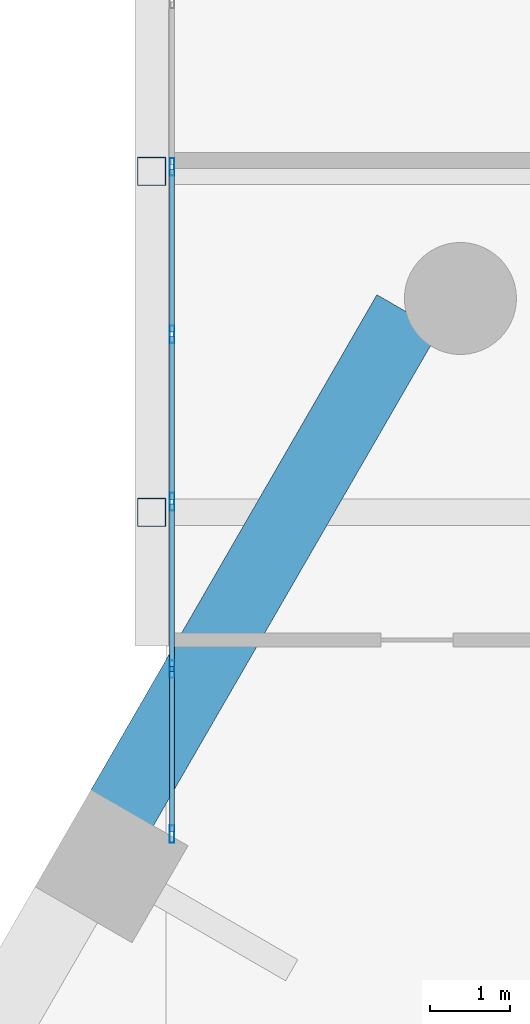
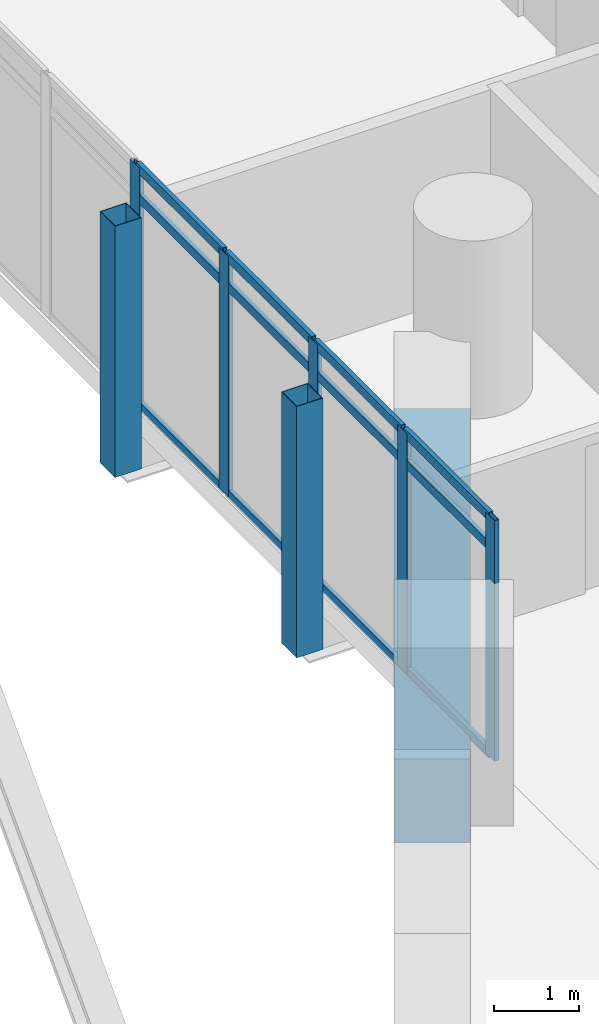
# One storey, part 16 of 38: 19 members, 1 beam, 1 element without a shape of its own.
"""IFC4 building model written with IfcOpenShell, lengths in metres."""

from ifc_helpers import new_model, si_unit, direction, frame, origin, origin_2d, place, context, subcontext, project, spatial, rectangle, hollow_rectangle, extrude, material, material_profile, profile_set, type_object, element, aggregate, save


model = new_model("IFC4")

# Units and contexts
model_context = context("Model", 3, precision=1e-05, world=origin(), true_north=direction((0.0, 1.0)))
body_context = subcontext(model_context, "Body", "Model", "MODEL_VIEW")
ifc_project = project(units=[si_unit("LENGTHUNIT", "METRE"), si_unit("AREAUNIT", "SQUARE_METRE"), si_unit("VOLUMEUNIT", "CUBIC_METRE"), si_unit("PLANEANGLEUNIT", "RADIAN"), si_unit("MASSUNIT", "GRAM", prefix="KILO")], contexts=[model_context])

# Site, building, storey
site_placement = place(None, origin())
site = spatial("IfcSite", under=ifc_project, at=site_placement, CompositionType="ELEMENT")
building_placement = place(site_placement, origin())
building = spatial("IfcBuilding", under=site, at=building_placement, Name="Ostrander Bayou Hotel Tower", CompositionType="ELEMENT")
storey_placement = place(building_placement, frame((0.0, 0.0, 65.5)))
storey = spatial("IfcBuildingStorey", under=building, at=storey_placement, Name="L16", CompositionType="ELEMENT", Elevation=65.5)

# Curtain wall, members
ifc_material_1 = material(Name="Aluminium and clear glass", Category="aluminium")
curtain_wall_type = type_object("IfcCurtainWallType", Name="CW-BAR glazed wall", PredefinedType="NOTDEFINED", material=ifc_material_1)
curtain_wall_placement = place(storey_placement, origin())
curtain_wall = element("IfcCurtainWall", 1, at=curtain_wall_placement, inside=storey, type_object=curtain_wall_type, Name="CW-BAR L16:SB1N:E", PredefinedType="NOTDEFINED")
ifc_material_2 = material(Name="Aluminium", Category="aluminium")
ifc_material_profile_1 = material_profile(ifc_material_2, hollow_rectangle(XDim=0.06005859375, YDim=0.219970703125, WallThickness=0.00390625, at=origin_2d()))
ifc_profile_set_1 = profile_set([ifc_material_profile_1], Name="Aluminium")
member_type_1 = type_object("IfcMemberType", Name="CW-BR mullion 60 x 220 mm", PredefinedType="MULLION", material=ifc_profile_set_1)
member_1_placement = place(storey_placement, frame((-14.712158203125, 14.1767578125, 0.0), z_axis=(0.0, 0.0, 1.0), x_axis=(-1.0, 0.0, 0.0)))
member_1 = element("IfcMember", 2, at=member_1_placement, type_object=member_type_1, Name="CW-BAR mullion 1", PredefinedType="MULLION", context=body_context, shape_type="SweptSolid", body=[
    extrude(hollow_rectangle(XDim=0.06005859375, YDim=0.219970703125, WallThickness=0.00390625, at=origin_2d()), origin(), (0.0, 0.0, 1.0), 3.449951171875),
])
member_2_placement = place(storey_placement, frame((-14.712158203125, 16.2392578125, 0.0), z_axis=(0.0, 0.0, 1.0), x_axis=(-1.0, 0.0, 0.0)))
member_2 = element("IfcMember", 3, at=member_2_placement, type_object=member_type_1, Name="CW-BAR mullion 2", PredefinedType="MULLION", context=body_context, shape_type="SweptSolid", body=[
    extrude(hollow_rectangle(XDim=0.06005859375, YDim=0.219970703125, WallThickness=0.00390625, at=origin_2d()), origin(), (0.0, 0.0, 1.0), 3.449951171875),
])
member_3_placement = place(storey_placement, frame((-14.712158203125, 18.33154296875, 0.0), z_axis=(0.0, 0.0, 1.0), x_axis=(-1.0, 0.0, 0.0)))
member_3 = element("IfcMember", 4, at=member_3_placement, type_object=member_type_1, Name="CW-BAR mullion 3", PredefinedType="MULLION", context=body_context, shape_type="SweptSolid", body=[
    extrude(hollow_rectangle(XDim=0.06005859375, YDim=0.219970703125, WallThickness=0.00390625, at=origin_2d()), origin(), (0.0, 0.0, 1.0), 3.449951171875),
])
member_4_placement = place(storey_placement, frame((-14.712158203125, 20.424072265625, 0.0), z_axis=(0.0, 0.0, 1.0), x_axis=(-1.0, 0.0, 0.0)))
member_4 = element("IfcMember", 5, at=member_4_placement, type_object=member_type_1, Name="CW-BAR mullion 4", PredefinedType="MULLION", context=body_context, shape_type="SweptSolid", body=[
    extrude(hollow_rectangle(XDim=0.06005859375, YDim=0.219970703125, WallThickness=0.00390625, at=origin_2d()), origin(), (0.0, 0.0, 1.0), 3.449951171875),
])
member_5_placement = place(storey_placement, frame((-14.712158203125, 22.5166015625, 0.0), z_axis=(0.0, 0.0, 1.0), x_axis=(-1.0, 0.0, 0.0)))
member_5 = element("IfcMember", 6, at=member_5_placement, type_object=member_type_1, Name="CW-BAR mullion 5", PredefinedType="MULLION", context=body_context, shape_type="SweptSolid", body=[
    extrude(hollow_rectangle(XDim=0.06005859375, YDim=0.219970703125, WallThickness=0.00390625, at=origin_2d()), origin(), (0.0, 0.0, 1.0), 3.449951171875),
])
ifc_material_3 = material(Name="Aluminium", Category="aluminium")
ifc_material_profile_2 = material_profile(ifc_material_3, hollow_rectangle(XDim=0.06005859375, YDim=0.1298828125, WallThickness=0.00390625, at=origin_2d()))
ifc_profile_set_2 = profile_set([ifc_material_profile_2], Name="Aluminium")
member_type_2 = type_object("IfcMemberType", Name="CW-BR transom 60 x 130 mm", PredefinedType="USERDEFINED", material=ifc_profile_set_2)
member_6_placement = place(storey_placement, frame((-14.712158203125, 14.206787109375, 0.030029296875), z_axis=(0.0, 1.0, 0.0), x_axis=(-1.0, 0.0, 0.0)))
member_6 = element("IfcMember", 7, at=member_6_placement, type_object=member_type_2, Name="CW-BAR transom 1.1", ObjectType="TRANSOM", PredefinedType="USERDEFINED", context=body_context, shape_type="SweptSolid", body=[
    extrude(hollow_rectangle(XDim=0.06005859375, YDim=0.1298828125, WallThickness=0.00390625, at=origin_2d()), origin(), (0.0, 0.0, 1.0), 2.00244140625),
])
member_7_placement = place(storey_placement, frame((-14.712158203125, 14.206787109375, 3.0), z_axis=(0.0, 1.0, 0.0), x_axis=(-1.0, 0.0, 0.0)))
member_7 = element("IfcMember", 8, at=member_7_placement, type_object=member_type_2, Name="CW-BAR transom 1.2", ObjectType="TRANSOM", PredefinedType="USERDEFINED", context=body_context, shape_type="SweptSolid", body=[
    extrude(hollow_rectangle(XDim=0.06005859375, YDim=0.1298828125, WallThickness=0.00390625, at=origin_2d()), origin(), (0.0, 0.0, 1.0), 2.00244140625),
])
member_8_placement = place(storey_placement, frame((-14.712158203125, 14.206787109375, 3.419921875), z_axis=(0.0, 1.0, 0.0), x_axis=(-1.0, 0.0, 0.0)))
member_8 = element("IfcMember", 9, at=member_8_placement, type_object=member_type_2, Name="CW-BAR transom 1.3", ObjectType="TRANSOM", PredefinedType="USERDEFINED", context=body_context, shape_type="SweptSolid", body=[
    extrude(hollow_rectangle(XDim=0.06005859375, YDim=0.1298828125, WallThickness=0.00390625, at=origin_2d()), origin(), (0.0, 0.0, 1.0), 2.00244140625),
])
member_9_placement = place(storey_placement, frame((-14.712158203125, 16.269287109375, 0.030029296875), z_axis=(0.0, 1.0, 0.0), x_axis=(-1.0, 0.0, 0.0)))
member_9 = element("IfcMember", 10, at=member_9_placement, type_object=member_type_2, Name="CW-BAR transom 2.1", ObjectType="TRANSOM", PredefinedType="USERDEFINED", context=body_context, shape_type="SweptSolid", body=[
    extrude(hollow_rectangle(XDim=0.06005859375, YDim=0.1298828125, WallThickness=0.00390625, at=origin_2d()), origin(), (0.0, 0.0, 1.0), 2.032470703125),
])
member_10_placement = place(storey_placement, frame((-14.712158203125, 16.269287109375, 3.0), z_axis=(0.0, 1.0, 0.0), x_axis=(-1.0, 0.0, 0.0)))
member_10 = element("IfcMember", 11, at=member_10_placement, type_object=member_type_2, Name="CW-BAR transom 2.2", ObjectType="TRANSOM", PredefinedType="USERDEFINED", context=body_context, shape_type="SweptSolid", body=[
    extrude(hollow_rectangle(XDim=0.06005859375, YDim=0.1298828125, WallThickness=0.00390625, at=origin_2d()), origin(), (0.0, 0.0, 1.0), 2.032470703125),
])
member_11_placement = place(storey_placement, frame((-14.712158203125, 16.269287109375, 3.419921875), z_axis=(0.0, 1.0, 0.0), x_axis=(-1.0, 0.0, 0.0)))
member_11 = element("IfcMember", 12, at=member_11_placement, type_object=member_type_2, Name="CW-BAR transom 2.3", ObjectType="TRANSOM", PredefinedType="USERDEFINED", context=body_context, shape_type="SweptSolid", body=[
    extrude(hollow_rectangle(XDim=0.06005859375, YDim=0.1298828125, WallThickness=0.00390625, at=origin_2d()), origin(), (0.0, 0.0, 1.0), 2.032470703125),
])
member_12_placement = place(storey_placement, frame((-14.712158203125, 18.361572265625, 0.030029296875), z_axis=(0.0, 1.0, 0.0), x_axis=(-1.0, 0.0, 0.0)))
member_12 = element("IfcMember", 13, at=member_12_placement, type_object=member_type_2, Name="CW-BAR transom 3.1", ObjectType="TRANSOM", PredefinedType="USERDEFINED", context=body_context, shape_type="SweptSolid", body=[
    extrude(hollow_rectangle(XDim=0.06005859375, YDim=0.1298828125, WallThickness=0.00390625, at=origin_2d()), origin(), (0.0, 0.0, 1.0), 2.032470703125),
])
member_13_placement = place(storey_placement, frame((-14.712158203125, 18.361572265625, 3.0), z_axis=(0.0, 1.0, 0.0), x_axis=(-1.0, 0.0, 0.0)))
member_13 = element("IfcMember", 14, at=member_13_placement, type_object=member_type_2, Name="CW-BAR transom 3.2", ObjectType="TRANSOM", PredefinedType="USERDEFINED", context=body_context, shape_type="SweptSolid", body=[
    extrude(hollow_rectangle(XDim=0.06005859375, YDim=0.1298828125, WallThickness=0.00390625, at=origin_2d()), origin(), (0.0, 0.0, 1.0), 2.032470703125),
])
member_14_placement = place(storey_placement, frame((-14.712158203125, 18.361572265625, 3.419921875), z_axis=(0.0, 1.0, 0.0), x_axis=(-1.0, 0.0, 0.0)))
member_14 = element("IfcMember", 15, at=member_14_placement, type_object=member_type_2, Name="CW-BAR transom 3.3", ObjectType="TRANSOM", PredefinedType="USERDEFINED", context=body_context, shape_type="SweptSolid", body=[
    extrude(hollow_rectangle(XDim=0.06005859375, YDim=0.1298828125, WallThickness=0.00390625, at=origin_2d()), origin(), (0.0, 0.0, 1.0), 2.032470703125),
])
member_15_placement = place(storey_placement, frame((-14.712158203125, 20.4541015625, 0.030029296875), z_axis=(0.0, 1.0, 0.0), x_axis=(-1.0, 0.0, 0.0)))
member_15 = element("IfcMember", 16, at=member_15_placement, type_object=member_type_2, Name="CW-BAR transom 4.1", ObjectType="TRANSOM", PredefinedType="USERDEFINED", context=body_context, shape_type="SweptSolid", body=[
    extrude(hollow_rectangle(XDim=0.06005859375, YDim=0.1298828125, WallThickness=0.00390625, at=origin_2d()), origin(), (0.0, 0.0, 1.0), 2.032470703125),
])
member_16_placement = place(storey_placement, frame((-14.712158203125, 20.4541015625, 3.0), z_axis=(0.0, 1.0, 0.0), x_axis=(-1.0, 0.0, 0.0)))
member_16 = element("IfcMember", 17, at=member_16_placement, type_object=member_type_2, Name="CW-BAR transom 4.2", ObjectType="TRANSOM", PredefinedType="USERDEFINED", context=body_context, shape_type="SweptSolid", body=[
    extrude(hollow_rectangle(XDim=0.06005859375, YDim=0.1298828125, WallThickness=0.00390625, at=origin_2d()), origin(), (0.0, 0.0, 1.0), 2.032470703125),
])
member_17_placement = place(storey_placement, frame((-14.712158203125, 20.4541015625, 3.419921875), z_axis=(0.0, 1.0, 0.0), x_axis=(-1.0, 0.0, 0.0)))
member_17 = element("IfcMember", 18, at=member_17_placement, type_object=member_type_2, Name="CW-BAR transom 4.3", ObjectType="TRANSOM", PredefinedType="USERDEFINED", context=body_context, shape_type="SweptSolid", body=[
    extrude(hollow_rectangle(XDim=0.06005859375, YDim=0.1298828125, WallThickness=0.00390625, at=origin_2d()), origin(), (0.0, 0.0, 1.0), 2.032470703125),
])
aggregate(curtain_wall, [member_1, member_2, member_3, member_4, member_5, member_6, member_7, member_8, member_9, member_10, member_11, member_12, member_13, member_14, member_15, member_16, member_17])

# Beam
ifc_material_4 = material(Name="Concrete f'c 70 MPa", Category="concrete")
ifc_material_profile_3 = material_profile(ifc_material_4, rectangle(XDim=0.89990234375, YDim=1.199951171875, at=origin_2d()))
ifc_profile_set_3 = profile_set([ifc_material_profile_3], Name="Concrete f'c 70 MPa")
beam_type = type_object("IfcBeamType", Name="SP1 spandrel beam 900 x 1200 mm f'c 70 MPa", PredefinedType="SPANDREL", material=ifc_profile_set_3)
beam_placement = place(storey_placement, frame((-11.76025390625, 20.694091796875, -0.60009765625), z_axis=(-0.500014005679, -0.866017317451, 0.0), x_axis=(0.866017317451, -0.500014005679, 0.0)))
element("IfcBeam", 19, at=beam_placement, inside=storey, type_object=beam_type, Name="SP1 L16 NW-1", PredefinedType="SPANDREL", context=body_context, shape_type="SweptSolid", body=[
    extrude(rectangle(XDim=0.89990234375, YDim=1.199951171875, at=origin_2d()), origin(), (0.0, 0.0, 1.0), 7.176025390625),
])

# Members
ifc_material_5 = material(Name="Steel ASTM A500 Gr C", Category="steel")
ifc_material_profile_4 = material_profile(ifc_material_5, hollow_rectangle(XDim=0.355712890625, YDim=0.355712890625, WallThickness=0.0087890625, at=origin_2d()))
ifc_profile_set_4 = profile_set([ifc_material_profile_4], Name="Steel ASTM A500 Gr C")
member_type_3 = type_object("IfcMemberType", Name="TH3 bar hanger HSS14x14x3/8", PredefinedType="POST", material=ifc_profile_set_4)
for number, where, z_axis, x_axis, name in (
    (20, (-14.965087890625, 22.46142578125, -0.771728515625), (0.0, 0.0, 1.0), (1.0, 0.0, 0.0), "TH3 SB1WA H3-1"),
    (21, (-14.965087890625, 18.198974609375, -0.771728515625), (0.0, 0.0, 1.0), (1.0, 0.0, 0.0), "TH3 SB1WA H4-1"),
):
    element("IfcMember", number, at=place(storey_placement, frame(where, z_axis=z_axis, x_axis=x_axis)), inside=storey, type_object=member_type_3, Name=name, PredefinedType="POST", context=body_context, shape_type="SweptSolid", body=[
        extrude(hollow_rectangle(XDim=0.355712890625, YDim=0.355712890625, WallThickness=0.0087890625, at=origin_2d()), origin(), (0.0, 0.0, 1.0), 3.599853515625),
    ])

save(model, "model.ifc")
